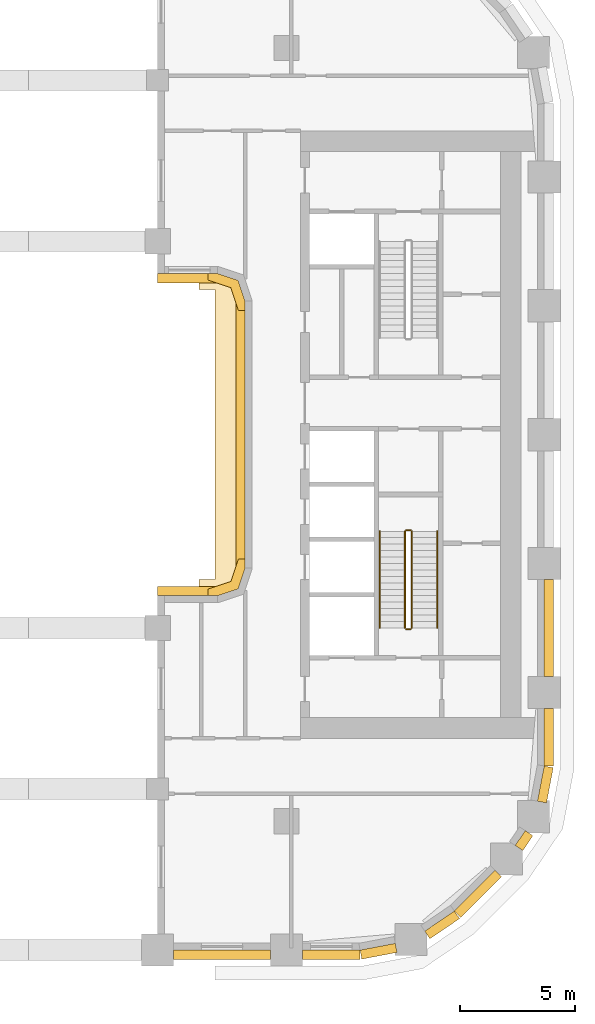
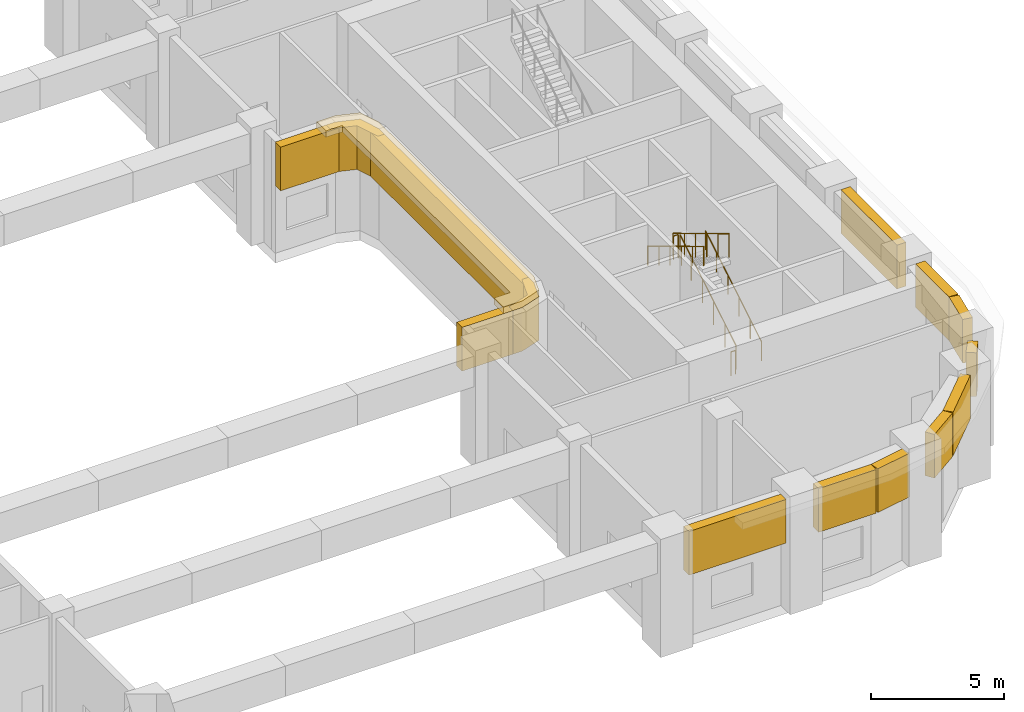
# One storey, part 11 of 14: 15 coverings, 6 railings.
"""IFC4 building model written with IfcOpenShell, lengths in metres."""

import ifcopenshell
import ifcopenshell.guid

model = None  # the IFC model being written
_history = None  # IfcOwnerHistory: only IFC2X3 demands one
_inside = {}  # id of a spatial element -> (the spatial element, [elements in it])
_under = {}  # id of a project, library or spatial element -> (it, [spatial elements below it])
_declared = {}  # id of a project -> (the project, [libraries it declares])
_typed = {}  # id of a type object -> (the type object, [elements of that type])
_made_of = {}  # id of a material, layer set ... -> (it, [elements and type objects made of it])


def new_model(schema):
    """Start an empty IFC model of exactly this schema.

    Asked for "IFC4X3", IfcOpenShell would pick the latest addendum, in which some entities
    have other attributes; the version numbers below select the first issue.
    IFC2X3 requires an IfcOwnerHistory on every rooted entity: one is made here for all.
    """
    global model, _history
    if schema == "IFC4X3":
        model = ifcopenshell.file(schema_version=(4, 3, 0, 0))
    else:
        model = ifcopenshell.file(schema=schema)
    _inside.clear()
    _under.clear()
    _declared.clear()
    _typed.clear()
    _made_of.clear()
    _history = None
    if model.schema == "IFC2X3":
        org = make("IfcOrganization", Name="unknown")
        user = make(
            "IfcPersonAndOrganization",
            ThePerson=make("IfcPerson", FamilyName="unknown"),
            TheOrganization=org,
        )
        app = make(
            "IfcApplication",
            ApplicationDeveloper=org,
            Version="unknown",
            ApplicationFullName="unknown",
            ApplicationIdentifier="unknown",
        )
        _history = make(
            "IfcOwnerHistory",
            OwningUser=user,
            OwningApplication=app,
            ChangeAction="ADDED",
            CreationDate=0,
        )
    return model


def make(cls, **values):
    """One entity of the class cls with the attributes given. An attribute that is None is left unset."""
    return model.create_entity(
        cls, **{name: value for name, value in values.items() if value is not None}
    )


def rooted(cls, **values):
    """An entity with a GlobalId (a new one), such as an element, a storey or a relation."""
    return make(cls, GlobalId=ifcopenshell.guid.new(), OwnerHistory=_history, **values)


def si_unit(unit_type, name, prefix=None):
    """IfcSIUnit, for example si_unit("LENGTHUNIT", "METRE", prefix="MILLI")."""
    return make("IfcSIUnit", UnitType=unit_type, Prefix=prefix, Name=name)


def assignment(units):
    """IfcUnitAssignment: the units of a project."""
    return None if units is None else make("IfcUnitAssignment", Units=units)


def point(xyz):
    """IfcCartesianPoint."""
    return None if xyz is None else make("IfcCartesianPoint", Coordinates=xyz)


def direction(xyz):
    """IfcDirection."""
    return None if xyz is None else make("IfcDirection", DirectionRatios=xyz)


def frame(location, z_axis=None, x_axis=None):
    """IfcAxis2Placement3D, a coordinate frame: its origin and axes. An axis left out is left unset."""
    return make(
        "IfcAxis2Placement3D",
        Location=point(location),
        Axis=direction(z_axis),
        RefDirection=direction(x_axis),
    )


def frame_2d(location, x_axis=None):
    """IfcAxis2Placement2D, a coordinate frame in the plane: its origin and x axis."""
    return make(
        "IfcAxis2Placement2D", Location=point(location), RefDirection=direction(x_axis)
    )


def origin():
    """The frame at (0, 0, 0) with its axes left unset."""
    return frame((0.0, 0.0, 0.0))


def origin_2d():
    """The frame at (0, 0) in the plane with its x axis left unset."""
    return frame_2d((0.0, 0.0))


def place(relative_to, where):
    """IfcLocalPlacement: puts the frame where relative to a parent placement (None: the world)."""
    return make(
        "IfcLocalPlacement", PlacementRelTo=relative_to, RelativePlacement=where
    )


def context(
    kind, dimensions, precision=None, world=None, true_north=None, identifier=None
):
    """IfcGeometricRepresentationContext, for example the 3D "Model" context."""
    return make(
        "IfcGeometricRepresentationContext",
        ContextIdentifier=identifier,
        ContextType=kind,
        CoordinateSpaceDimension=dimensions,
        Precision=precision,
        WorldCoordinateSystem=world,
        TrueNorth=true_north,
    )


def subcontext(parent, identifier, kind, view, scale=None):
    """IfcGeometricRepresentationSubContext, for example "Body" below "Model"."""
    return make(
        "IfcGeometricRepresentationSubContext",
        ContextIdentifier=identifier,
        ContextType=kind,
        ParentContext=parent,
        TargetScale=scale,
        TargetView=view,
    )


def project(units=None, contexts=None):
    """IfcProject with its units and contexts."""
    return rooted(
        "IfcProject",
        Name="project",
        RepresentationContexts=contexts,
        UnitsInContext=assignment(units),
    )


def spatial(cls, under=None, at=None, **own):
    """A site, building, storey or space (cls), placed at a placement, below another one or the project."""
    s = rooted(cls, ObjectPlacement=at, **own)
    if under is not None:
        _under.setdefault(under.id(), (under, []))[1].append(s)
    return s


def polyline(points):
    """IfcPolyline through the points."""
    return make("IfcPolyline", Points=[point(p) for p in points])


def profile(cls, at=None, kind="AREA", **sizes):
    """A parametric profile (cls). Its sizes go by their IFC names, for example OverallWidth=200.0."""
    return make(cls, ProfileType=kind, Position=at, **sizes)


def rectangle(**sizes):
    """IfcRectangleProfileDef."""
    return profile("IfcRectangleProfileDef", **sizes)


def circle(**sizes):
    """IfcCircleProfileDef."""
    return profile("IfcCircleProfileDef", **sizes)


def outline(outer, holes=None, kind="AREA"):
    """IfcArbitraryClosedProfileDef: a profile drawn as a closed curve; with holes, ...WithVoids."""
    if holes is None:
        return make("IfcArbitraryClosedProfileDef", ProfileType=kind, OuterCurve=outer)
    return make(
        "IfcArbitraryProfileDefWithVoids",
        ProfileType=kind,
        OuterCurve=outer,
        InnerCurves=holes,
    )


def extrude(swept, where, along, depth):
    """IfcExtrudedAreaSolid: the profile swept, set in the frame where, extruded along a direction by depth."""
    return make(
        "IfcExtrudedAreaSolid",
        SweptArea=swept,
        Position=where,
        ExtrudedDirection=direction(along),
        Depth=depth,
    )


def shape(context_of_items, identifier, shape_type, items):
    """IfcShapeRepresentation: the items that make up one representation, for example the "Body"."""
    return make(
        "IfcShapeRepresentation",
        ContextOfItems=context_of_items,
        RepresentationIdentifier=identifier,
        RepresentationType=shape_type,
        Items=items,
    )


def material(Name=None, Category=None):
    """IfcMaterial."""
    return make("IfcMaterial", Name=Name, Category=Category)


def layer(
    of_material, thickness, ventilated=None, Name=None, Category=None, Priority=None
):
    """IfcMaterialLayer: one layer of a wall or slab, of a material (None: an air gap)."""
    return make(
        "IfcMaterialLayer",
        Material=of_material,
        LayerThickness=thickness,
        IsVentilated=ventilated,
        Name=Name,
        Category=Category,
        Priority=Priority,
    )


def layer_set(layers, Name=None):
    """IfcMaterialLayerSet."""
    return make("IfcMaterialLayerSet", MaterialLayers=layers, LayerSetName=Name)


def made_of(thing, what):
    """Note that an element or type object is made of a material, layer set ...; save() writes the relation."""
    if what is not None:
        _made_of.setdefault(what.id(), (what, []))[1].append(thing)
    return thing


def type_object(cls, material=None, **own):
    """A type object (cls), such as IfcWallType, which elements share."""
    return made_of(rooted(cls, **own), material)


def element(
    cls,
    number,
    at=None,
    inside=None,
    cuts=None,
    type_object=None,
    material=None,
    context=None,
    identifier="Body",
    shape_type=None,
    held_by="IfcProductDefinitionShape",
    body=None,
    shapes=None,
    **own,
):
    """One element of the class cls, such as IfcWall. Its Tag is "e" and its number.

    at: its placement. inside: the storey or other place that contains it. cuts: it is an
    opening in that element (IfcRelVoidsElement). A single representation is given by context,
    identifier, shape_type and body (its items); several are given by shapes. held_by: the class
    of the entity that holds the representations. save() writes the other relations.
    """
    e = rooted(cls, Tag="e%d" % number, ObjectPlacement=at, **own)
    if body is not None:
        shapes = [shape(context, identifier, shape_type, body)]
    if shapes is not None:
        e.Representation = make(held_by, Representations=shapes)
    if inside is not None:
        _inside.setdefault(inside.id(), (inside, []))[1].append(e)
    if cuts is not None:
        rooted(
            "IfcRelVoidsElement", RelatingBuildingElement=cuts, RelatedOpeningElement=e
        )
    if type_object is not None:
        _typed.setdefault(type_object.id(), (type_object, []))[1].append(e)
    return made_of(e, material)


def aggregate(whole, parts):
    """IfcRelAggregates: a whole, such as a stair, and the parts it consists of."""
    return rooted("IfcRelAggregates", RelatingObject=whole, RelatedObjects=parts)


def save(model, path):
    """Write the relations noted so far, then the file.

    IfcRelAggregates (storeys below a building ...), IfcRelContainedInSpatialStructure (elements
    in a storey), IfcRelDefinesByType, IfcRelAssociatesMaterial and IfcRelDeclares: one each for
    every whole, place, type object, material and project.
    """
    for whole, parts in _under.values():
        aggregate(whole, parts)
    for where, things in _inside.values():
        rooted(
            "IfcRelContainedInSpatialStructure",
            RelatedElements=things,
            RelatingStructure=where,
        )
    for kind, things in _typed.values():
        rooted("IfcRelDefinesByType", RelatedObjects=things, RelatingType=kind)
    for what, things in _made_of.values():
        rooted("IfcRelAssociatesMaterial", RelatedObjects=things, RelatingMaterial=what)
    for by, libraries in _declared.values():
        rooted("IfcRelDeclares", RelatingContext=by, RelatedDefinitions=libraries)
    model.write(path)


model = new_model("IFC4")

# Units and contexts
model_context = context("Model", 3, precision=1e-05, world=origin(), true_north=direction((0.0, 1.0)))
body_context = subcontext(model_context, "Body", "Model", "MODEL_VIEW")
ifc_project = project(units=[si_unit("LENGTHUNIT", "METRE"), si_unit("AREAUNIT", "SQUARE_METRE"), si_unit("VOLUMEUNIT", "CUBIC_METRE"), si_unit("PLANEANGLEUNIT", "RADIAN"), si_unit("MASSUNIT", "GRAM", prefix="KILO")], contexts=[model_context])

# Site, building, storey
site_placement = place(None, origin())
site = spatial("IfcSite", under=ifc_project, at=site_placement, CompositionType="ELEMENT")
building_placement = place(site_placement, origin())
building = spatial("IfcBuilding", under=site, at=building_placement, Name="Kiln Ring Residences", CompositionType="ELEMENT")
storey_placement = place(building_placement, frame((0.0, 0.0, 77.89990234375)))
storey = spatial("IfcBuildingStorey", under=building, at=storey_placement, Name="L19", CompositionType="ELEMENT", Elevation=77.89990234375)

# Railings
ifc_material_1 = material(Name="Stainless steel", Category="steel")
railing_type_1 = type_object("IfcRailingType", Name="CORE-STAIR-GUARD", PredefinedType="GUARDRAIL", material=ifc_material_1)
railing_1_placement = place(storey_placement, frame((22.25, -8.39990234375, 0.1689453125)))
element("IfcRailing", 1, at=railing_1_placement, inside=storey, type_object=railing_type_1, Name="L19 E-STS stair guard 1", PredefinedType="GUARDRAIL", context=body_context, shape_type="SweptSolid", body=[
    extrude(circle(Radius=0.02392578125, at=origin_2d()), frame((0.0, 0.0, 1.076171875), z_axis=(0.0, 0.856476492594, 0.516186030065), x_axis=(-1.0, 0.0, 0.0)), (0.0, 0.0, 1.0), 4.90380859375),
    extrude(circle(Radius=0.02099609375, at=origin_2d()), origin(), (0.0, 0.0, 1.0), 1.052001953125),
    extrude(circle(Radius=0.02099609375, at=origin_2d()), frame((0.0, 0.840087890625, 0.50634765625)), (0.0, 0.0, 1.0), 1.052001953125),
    extrude(circle(Radius=0.02099609375, at=origin_2d()), frame((0.0, 1.679931640625, 1.012451171875)), (0.0, 0.0, 1.0), 1.052001953125),
    extrude(circle(Radius=0.02099609375, at=origin_2d()), frame((0.0, 2.52001953125, 1.518798828125)), (0.0, 0.0, 1.0), 1.052001953125),
    extrude(circle(Radius=0.02099609375, at=origin_2d()), frame((0.0, 3.35986328125, 2.02490234375)), (0.0, 0.0, 1.0), 1.052001953125),
    extrude(circle(Radius=0.02099609375, at=origin_2d()), frame((0.0, 4.199951171875, 2.53125)), (0.0, 0.0, 1.0), 1.052001953125),
])
railing_2_placement = place(storey_placement, frame((22.199951171875, -4.14990234375, 2.7001953125)))
element("IfcRailing", 2, at=railing_2_placement, inside=storey, type_object=railing_type_1, Name="L19 E-STS stair guard 2", PredefinedType="GUARDRAIL", context=body_context, shape_type="SweptSolid", body=[
    extrude(circle(Radius=0.02392578125, at=origin_2d()), frame((0.0, 0.0, 1.076171875), z_axis=(-1.0, 0.0, 0.0), x_axis=(0.0, -1.0, 0.0)), (0.0, 0.0, 1.0), 0.199951171875),
    extrude(circle(Radius=0.02099609375, at=origin_2d()), origin(), (0.0, 0.0, 1.0), 1.052001953125),
    extrude(circle(Radius=0.02099609375, at=origin_2d()), frame((-0.199951171875, 0.0, 0.0)), (0.0, 0.0, 1.0), 1.052001953125),
])
railing_3_placement = place(storey_placement, frame((21.949951171875, -4.199951171875, 2.868896484375)))
element("IfcRailing", 3, at=railing_3_placement, inside=storey, type_object=railing_type_1, Name="L19 E-STS stair guard 3", PredefinedType="GUARDRAIL", context=body_context, shape_type="SweptSolid", body=[
    extrude(circle(Radius=0.02392578125, at=origin_2d()), frame((0.0, 0.0, 1.076171875), z_axis=(0.0, -0.856476492594, 0.516186030065), x_axis=(1.0, 0.0, 0.0)), (0.0, 0.0, 1.0), 4.90380859375),
    extrude(circle(Radius=0.02099609375, at=origin_2d()), origin(), (0.0, 0.0, 1.0), 1.052001953125),
    extrude(circle(Radius=0.02099609375, at=origin_2d()), frame((0.0, -0.840087890625, 0.50634765625)), (0.0, 0.0, 1.0), 1.052001953125),
    extrude(circle(Radius=0.02099609375, at=origin_2d()), frame((0.0, -1.679931640625, 1.012451171875)), (0.0, 0.0, 1.0), 1.052001953125),
    extrude(circle(Radius=0.02099609375, at=origin_2d()), frame((0.0, -2.52001953125, 1.518798828125)), (0.0, 0.0, 1.0), 1.052001953125),
    extrude(circle(Radius=0.02099609375, at=origin_2d()), frame((0.0, -3.35986328125, 2.02490234375)), (0.0, 0.0, 1.0), 1.052001953125),
    extrude(circle(Radius=0.02099609375, at=origin_2d()), frame((0.0, -4.199951171875, 2.53125)), (0.0, 0.0, 1.0), 1.052001953125),
])
railing_4_placement = place(storey_placement, frame((22.199951171875, -8.449951171875, 0.0)))
element("IfcRailing", 4, at=railing_4_placement, inside=storey, type_object=railing_type_1, Name="L19 E-STS stair guard 4", PredefinedType="GUARDRAIL", context=body_context, shape_type="SweptSolid", body=[
    extrude(circle(Radius=0.02392578125, at=origin_2d()), frame((0.0, 0.0, 1.076171875), z_axis=(-1.0, 0.0, 0.0), x_axis=(0.0, -1.0, 0.0)), (0.0, 0.0, 1.0), 0.199951171875),
    extrude(circle(Radius=0.02099609375, at=origin_2d()), origin(), (0.0, 0.0, 1.0), 1.052001953125),
    extrude(circle(Radius=0.02099609375, at=origin_2d()), frame((-0.199951171875, 0.0, 0.0)), (0.0, 0.0, 1.0), 1.052001953125),
])
ifc_material_2 = material(Name="Stainless steel", Category="steel")
railing_type_2 = type_object("IfcRailingType", Name="CORE-STAIR-HANDRAIL", PredefinedType="HANDRAIL", material=ifc_material_2)
railing_5_placement = place(storey_placement, frame((23.35009765625, -8.39990234375, 0.1689453125)))
element("IfcRailing", 5, at=railing_5_placement, inside=storey, type_object=railing_type_2, Name="L19 E-STS stair handrail 1", PredefinedType="HANDRAIL", context=body_context, shape_type="SweptSolid", body=[
    extrude(circle(Radius=0.02392578125, at=origin_2d()), frame((0.0, 0.0, 0.8759765625), z_axis=(0.0, 0.856476492594, 0.516186030065), x_axis=(-1.0, 0.0, 0.0)), (0.0, 0.0, 1.0), 4.90380859375),
    extrude(circle(Radius=0.02099609375, at=origin_2d()), origin(), (0.0, 0.0, 1.0), 0.851806640625),
    extrude(circle(Radius=0.02099609375, at=origin_2d()), frame((0.0, 0.840087890625, 0.50634765625)), (0.0, 0.0, 1.0), 0.851806640625),
    extrude(circle(Radius=0.02099609375, at=origin_2d()), frame((0.0, 1.679931640625, 1.012451171875)), (0.0, 0.0, 1.0), 0.851806640625),
    extrude(circle(Radius=0.02099609375, at=origin_2d()), frame((0.0, 2.52001953125, 1.518798828125)), (0.0, 0.0, 1.0), 0.851806640625),
    extrude(circle(Radius=0.02099609375, at=origin_2d()), frame((0.0, 3.35986328125, 2.02490234375)), (0.0, 0.0, 1.0), 0.851806640625),
    extrude(circle(Radius=0.02099609375, at=origin_2d()), frame((0.0, 4.199951171875, 2.53125)), (0.0, 0.0, 1.0), 0.851806640625),
])
railing_6_placement = place(storey_placement, frame((20.85009765625, -4.199951171875, 2.868896484375)))
element("IfcRailing", 6, at=railing_6_placement, inside=storey, type_object=railing_type_2, Name="L19 E-STS stair handrail 2", PredefinedType="HANDRAIL", context=body_context, shape_type="SweptSolid", body=[
    extrude(circle(Radius=0.02392578125, at=origin_2d()), frame((0.0, 0.0, 0.8759765625), z_axis=(0.0, -0.856476492594, 0.516186030065), x_axis=(1.0, 0.0, 0.0)), (0.0, 0.0, 1.0), 4.90380859375),
    extrude(circle(Radius=0.02099609375, at=origin_2d()), origin(), (0.0, 0.0, 1.0), 0.851806640625),
    extrude(circle(Radius=0.02099609375, at=origin_2d()), frame((0.0, -0.840087890625, 0.50634765625)), (0.0, 0.0, 1.0), 0.851806640625),
    extrude(circle(Radius=0.02099609375, at=origin_2d()), frame((0.0, -1.679931640625, 1.012451171875)), (0.0, 0.0, 1.0), 0.851806640625),
    extrude(circle(Radius=0.02099609375, at=origin_2d()), frame((0.0, -2.52001953125, 1.518798828125)), (0.0, 0.0, 1.0), 0.851806640625),
    extrude(circle(Radius=0.02099609375, at=origin_2d()), frame((0.0, -3.35986328125, 2.02490234375)), (0.0, 0.0, 1.0), 0.851806640625),
    extrude(circle(Radius=0.02099609375, at=origin_2d()), frame((0.0, -4.199951171875, 2.53125)), (0.0, 0.0, 1.0), 0.851806640625),
])

# Coverings
ifc_material_3 = material(Name="Black powder-coated steel", Category="steel")
ifc_layer = layer(ifc_material_3, 0.300048828125)
ifc_layer_set = layer_set([ifc_layer], Name="SUNSHADE FIN 600")
covering_type_1 = type_object("IfcCoveringType", Name="SUNSHADE FIN 600", PredefinedType="CLADDING", material=ifc_layer_set)
covering_1_placement = place(storey_placement, frame((0.0, 0.0, 5.10009765625)))
element("IfcCovering", 7, at=covering_1_placement, inside=storey, type_object=covering_type_1, Name="SUNSHADE FIN L19", PredefinedType="CLADDING", context=body_context, shape_type="SweptSolid", body=[
    extrude(outline(polyline([(13.686279296875, 6.300048828125), (13.699951171875, 6.29541015625), (13.699951171875, 5.589111328125), (13.699951171875, -5.589111328125), (13.699951171875, -6.29541015625), (13.686279296875, -6.300048828125), (12.989990234375, -6.300048828125), (12.989990234375, -7.0), (13.800048828125, -7.0), (14.699951171875, -6.699951171875), (15.0, -5.800048828125), (15.0, 5.800048828125), (14.699951171875, 6.699951171875), (13.800048828125, 7.0), (12.989990234375, 7.0), (12.989990234375, 6.300048828125), (13.686279296875, 6.300048828125)])), origin(), (0.0, 0.0, 1.0), 0.300048828125),
])
ifc_material_4 = material(Name="Concrete C35/45, exposed aggregate finish", Category="concrete")
covering_type_2 = type_object("IfcCoveringType", Name="TIE BAND 2000 x 400", PredefinedType="CLADDING", material=ifc_material_4)
covering_2_placement = place(storey_placement, frame((12.5, -6.800048828125, 3.10009765625), z_axis=(0.0, 0.0, 1.0), x_axis=(-1.0, 0.0, 0.0)))
element("IfcCovering", 8, at=covering_2_placement, inside=storey, type_object=covering_type_2, Name="TIE BAND L19", PredefinedType="CLADDING", context=body_context, shape_type="SweptSolid", body=[
    extrude(rectangle(XDim=2.60009765625, YDim=0.39990234375, at=origin_2d()), origin(), (0.0, 0.0, 1.0), 2.0),
])
covering_3_placement = place(storey_placement, frame((14.0, -22.60009765625, 3.10009765625), z_axis=(0.0, 0.0, 1.0), x_axis=(1.0, 0.0, 0.0)))
element("IfcCovering", 9, at=covering_3_placement, inside=storey, type_object=covering_type_2, Name="TIE BAND L19", PredefinedType="CLADDING", context=body_context, shape_type="SweptSolid", body=[
    extrude(rectangle(XDim=4.199951171875, YDim=0.39990234375, at=origin_2d()), origin(), (0.0, 0.0, 1.0), 2.0),
])
covering_4_placement = place(storey_placement, frame((18.75, -22.60009765625, 3.10009765625), z_axis=(0.0, 0.0, 1.0), x_axis=(1.0, 0.0, 0.0)))
element("IfcCovering", 10, at=covering_4_placement, inside=storey, type_object=covering_type_2, Name="TIE BAND L19", PredefinedType="CLADDING", context=body_context, shape_type="SweptSolid", body=[
    extrude(rectangle(XDim=2.5, YDim=0.39990234375, at=origin_2d()), origin(), (0.0, 0.0, 1.0), 2.0),
])
for number, where, z_axis, x_axis, name in (
    (11, (20.8017578125, -22.45068359375, 3.10009765625), (0.0, 0.0, 1.0), (0.98229025778, 0.187365550382, 0.0), "TIE BAND L19"),
    (12, (23.56591796875, -21.3056640625, 3.10009765625), (0.0, 0.0, 1.0), (0.827071553606, 0.562096651134, 0.0), "TIE BAND L19"),
):
    element("IfcCovering", number, at=place(storey_placement, frame(where, z_axis=z_axis, x_axis=x_axis)), inside=storey, type_object=covering_type_2, Name=name, PredefinedType="CLADDING", context=body_context, shape_type="SweptSolid", body=[
        extrude(rectangle(XDim=1.55615234375, YDim=0.39990234375, at=origin_2d()), origin(), (0.0, 0.0, 1.0), 2.0),
    ])
covering_5_placement = place(storey_placement, frame((25.122314453125, -19.96044921875, 3.10009765625), z_axis=(0.0, 0.0, 1.0), x_axis=(0.707106781187, 0.707106781187, 0.0)))
element("IfcCovering", 13, at=covering_5_placement, inside=storey, type_object=covering_type_2, Name="TIE BAND L19", PredefinedType="CLADDING", context=body_context, shape_type="SweptSolid", body=[
    extrude(rectangle(XDim=2.5, YDim=0.39990234375, at=origin_2d()), origin(), (0.0, 0.0, 1.0), 2.0),
])
covering_6_placement = place(storey_placement, frame((27.12451171875, -17.643798828125, 3.10009765625), z_axis=(0.0, 0.0, 1.0), x_axis=(0.562096651134, 0.827071553606, 0.0)))
element("IfcCovering", 14, at=covering_6_placement, inside=storey, type_object=covering_type_2, Name="TIE BAND L19", PredefinedType="CLADDING", context=body_context, shape_type="SweptSolid", body=[
    extrude(rectangle(XDim=0.777099609375, YDim=0.39990234375, at=origin_2d()), origin(), (0.0, 0.0, 1.0), 2.0),
])
covering_7_placement = place(storey_placement, frame((28.05078125, -15.20166015625, 3.10009765625), z_axis=(0.0, 0.0, 1.0), x_axis=(0.187365550382, 0.98229025778, 0.0)))
element("IfcCovering", 15, at=covering_7_placement, inside=storey, type_object=covering_type_2, Name="TIE BAND L19", PredefinedType="CLADDING", context=body_context, shape_type="SweptSolid", body=[
    extrude(rectangle(XDim=1.55615234375, YDim=0.39990234375, at=origin_2d()), origin(), (0.0, 0.0, 1.0), 2.0),
])
covering_8_placement = place(storey_placement, frame((28.199951171875, -13.14990234375, 3.10009765625), z_axis=(0.0, 0.0, 1.0), x_axis=(0.0, 1.0, 0.0)))
element("IfcCovering", 16, at=covering_8_placement, inside=storey, type_object=covering_type_2, Name="TIE BAND L19", PredefinedType="CLADDING", context=body_context, shape_type="SweptSolid", body=[
    extrude(rectangle(XDim=2.5, YDim=0.39990234375, at=origin_2d()), origin(), (0.0, 0.0, 1.0), 2.0),
])
covering_9_placement = place(storey_placement, frame((28.199951171875, -8.39990234375, 3.10009765625), z_axis=(0.0, 0.0, 1.0), x_axis=(0.0, 1.0, 0.0)))
element("IfcCovering", 17, at=covering_9_placement, inside=storey, type_object=covering_type_2, Name="TIE BAND L19", PredefinedType="CLADDING", context=body_context, shape_type="SweptSolid", body=[
    extrude(rectangle(XDim=4.199951171875, YDim=0.39990234375, at=origin_2d()), origin(), (0.0, 0.0, 1.0), 2.0),
])
covering_10_placement = place(storey_placement, frame((12.5, 6.800048828125, 3.10009765625), z_axis=(0.0, 0.0, 1.0), x_axis=(1.0, 0.0, 0.0)))
element("IfcCovering", 18, at=covering_10_placement, inside=storey, type_object=covering_type_2, Name="TIE BAND L19", PredefinedType="CLADDING", context=body_context, shape_type="SweptSolid", body=[
    extrude(rectangle(XDim=2.60009765625, YDim=0.39990234375, at=origin_2d()), origin(), (0.0, 0.0, 1.0), 2.0),
])
covering_11_placement = place(storey_placement, frame((14.800048828125, 0.0, 3.10009765625), z_axis=(0.0, 0.0, 1.0), x_axis=(0.0, -1.0, 0.0)))
element("IfcCovering", 19, at=covering_11_placement, inside=storey, type_object=covering_type_2, Name="TIE BAND L19", PredefinedType="CLADDING", context=body_context, shape_type="SweptSolid", body=[
    extrude(rectangle(XDim=11.60009765625, YDim=0.39990234375, at=origin_2d()), origin(), (0.0, 0.0, 1.0), 2.0),
])
placement = place(storey_placement, frame((0.0, 0.0, 3.10009765625)))
element("IfcCovering", 20, at=placement, inside=storey, type_object=covering_type_2, Name="TIE BAND L19", PredefinedType="CLADDING", context=body_context, shape_type="SweptSolid", body=[
    extrude(outline(polyline([(13.800048828125, 7.0), (13.39990234375, 7.0), (13.39990234375, 6.711669921875), (14.3837890625, 6.3837890625), (14.711669921875, 5.39990234375), (15.0, 5.39990234375), (15.0, 5.800048828125), (14.699951171875, 6.699951171875), (13.800048828125, 7.0)])), origin(), (0.0, 0.0, 1.0), 2.0),
])
element("IfcCovering", 21, at=placement, inside=storey, type_object=covering_type_2, Name="TIE BAND L19", PredefinedType="CLADDING", context=body_context, shape_type="SweptSolid", body=[
    extrude(outline(polyline([(15.0, -5.800048828125), (15.0, -5.39990234375), (14.711669921875, -5.39990234375), (14.3837890625, -6.3837890625), (13.39990234375, -6.711669921875), (13.39990234375, -7.0), (13.800048828125, -7.0), (14.699951171875, -6.699951171875), (15.0, -5.800048828125)])), origin(), (0.0, 0.0, 1.0), 2.0),
])

save(model, "model.ifc")
